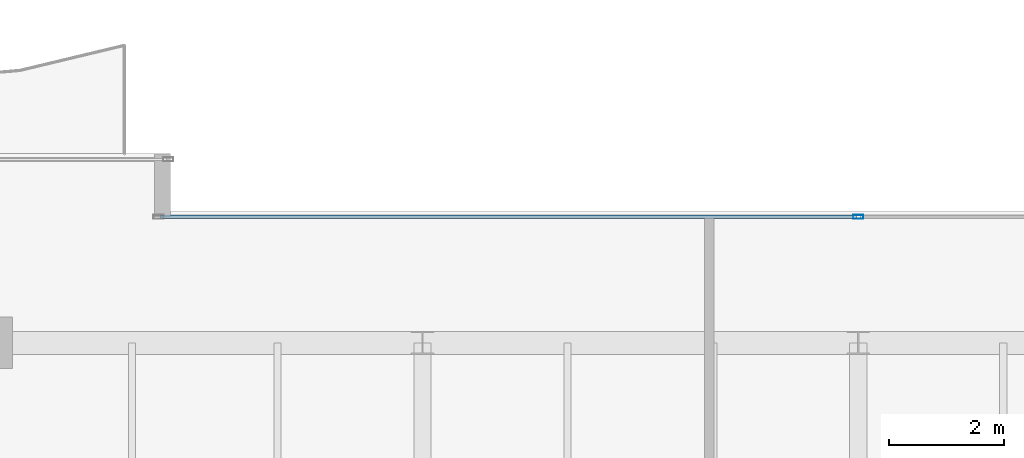
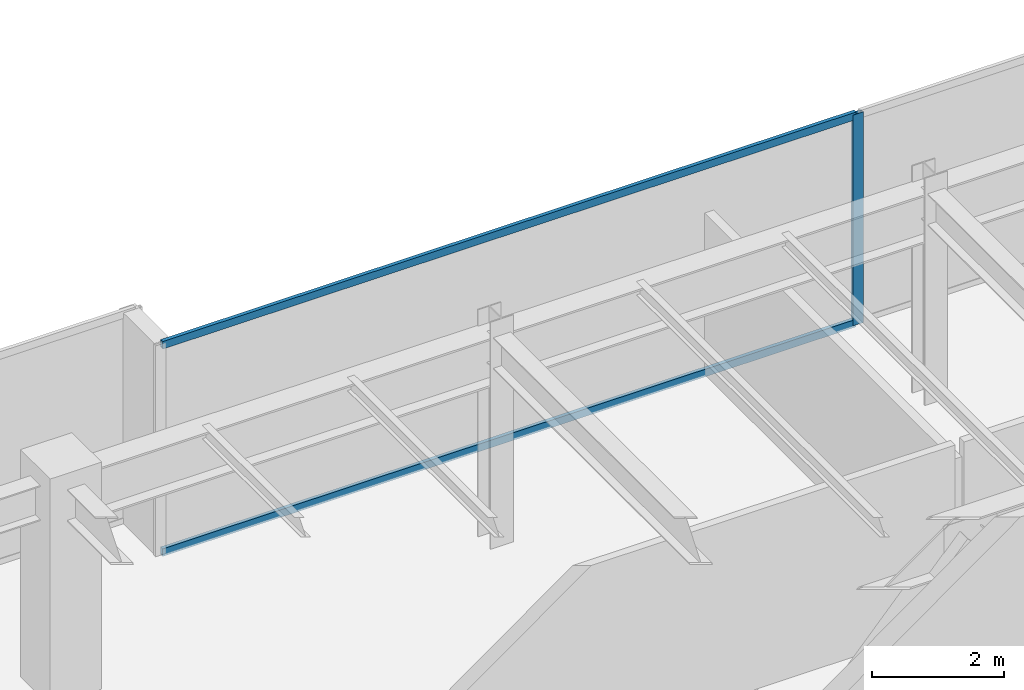
# One storey, part 20 of 31: 3 members, 1 element without a shape of its own.
"""IFC4 building model written with IfcOpenShell, lengths in metres."""

from ifc_helpers import new_model, si_unit, direction, frame, origin, origin_2d, place, context, subcontext, project, spatial, hollow_rectangle, extrude, source, transform, mapped, material, layer, layer_set, material_profile, profile_set, type_object, type_shapes, element, aggregate, save


model = new_model("IFC4")

# Units and contexts
model_context = context("Model", 3, precision=1e-05, world=origin(), true_north=direction((0.0, 1.0)))
body_context = subcontext(model_context, "Body", "Model", "MODEL_VIEW")
ifc_project = project(units=[si_unit("LENGTHUNIT", "METRE"), si_unit("AREAUNIT", "SQUARE_METRE"), si_unit("VOLUMEUNIT", "CUBIC_METRE"), si_unit("PLANEANGLEUNIT", "RADIAN"), si_unit("MASSUNIT", "GRAM", prefix="KILO")], contexts=[model_context])

# Site, building, storey
site_placement = place(None, origin())
site = spatial("IfcSite", under=ifc_project, at=site_placement, CompositionType="ELEMENT")
building_placement = place(site_placement, origin())
building = spatial("IfcBuilding", under=site, at=building_placement, Name="Haelvirn Gate Laboratories", CompositionType="ELEMENT")
storey_placement = place(building_placement, frame((0.0, 0.0, 310.199951171875)))
storey = spatial("IfcBuildingStorey", under=building, at=storey_placement, Name="L74", CompositionType="ELEMENT", Elevation=310.199951171875)

# Curtain wall, members
ifc_material_1 = material(Name="Anodised bronze unitised aluminium & triple low-E glass", Category="aluminium")
ifc_layer = layer(ifc_material_1, 0.176025390625, Name="CW-SYS-4")
ifc_layer_set = layer_set([ifc_layer], Name="Anodised bronze unitised aluminium & triple low-E glass")
curtain_wall_type = type_object("IfcCurtainWallType", Name="CW-SYS-4", PredefinedType="NOTDEFINED", material=ifc_layer_set)
curtain_wall_placement = place(storey_placement, origin())
curtain_wall = element("IfcCurtainWall", 1, at=curtain_wall_placement, inside=storey, type_object=curtain_wall_type, Name="L74 Unitised Curtain Wall CW-L74-P0-E12-1", PredefinedType="NOTDEFINED")
ifc_material_2 = material(Name="Extruded aluminium 6063-T6 (anodised bronze)", Category="aluminium")
ifc_material_profile_1 = material_profile(ifc_material_2, hollow_rectangle(XDim=0.06494140625, YDim=0.139892578125, WallThickness=0.00390625, at=origin_2d()), Name="CWT-140x65x4")
ifc_profile_set_1 = profile_set([ifc_material_profile_1], Name="Extruded aluminium 6063-T6 (anodised bronze)")
member_type_1 = type_object("IfcMemberType", Name="CWT-T140", PredefinedType="USERDEFINED", material=ifc_profile_set_1)
shared_shape_1 = source(origin(), body_context, "Body", "SweptSolid", [
    extrude(hollow_rectangle(XDim=0.06494140625, YDim=0.139892578125, WallThickness=0.00390625, at=origin_2d()), origin(), (0.0, 0.0, 1.0), 12.135009765625),
])
type_shapes(member_type_1, [shared_shape_1])
member_1_placement = place(storey_placement, frame((25.22998046875, 43.800048828125, 0.032470703125), z_axis=(1.0, 0.0, 0.0), x_axis=(0.0, 1.0, 0.0)))
member_1 = element("IfcMember", 2, at=member_1_placement, type_object=member_type_1, Name="CW4 transom 1.1", ObjectType="TRANSOM", PredefinedType="USERDEFINED", context=body_context, shape_type="MappedRepresentation", body=[
    mapped(shared_shape_1, transform((0.0, 0.0, 0.0), scale=1.0)),
])
member_2_placement = place(storey_placement, frame((25.22998046875, 43.800048828125, 3.867431640625), z_axis=(1.0, 0.0, 0.0), x_axis=(0.0, 1.0, 0.0)))
member_2 = element("IfcMember", 3, at=member_2_placement, type_object=member_type_1, Name="CW4 transom 1.2", ObjectType="TRANSOM", PredefinedType="USERDEFINED", context=body_context, shape_type="MappedRepresentation", body=[
    mapped(shared_shape_1, transform((0.0, 0.0, 0.0), scale=1.0)),
])
ifc_material_profile_2 = material_profile(ifc_material_2, hollow_rectangle(XDim=0.070068359375, YDim=0.179931640625, WallThickness=0.0048828125, at=origin_2d()), Name="CWM-180x70x5")
ifc_profile_set_2 = profile_set([ifc_material_profile_2], Name="Extruded aluminium 6063-T6 (anodised bronze)")
member_type_2 = type_object("IfcMemberType", Name="CWM-T180", PredefinedType="MULLION", material=ifc_profile_set_2)
shared_shape_2 = source(origin(), body_context, "Body", "SweptSolid", [
    extrude(hollow_rectangle(XDim=0.070068359375, YDim=0.179931640625, WallThickness=0.0048828125, at=origin_2d()), origin(), (0.0, 0.0, 1.0), 3.900146484375),
])
type_shapes(member_type_2, [shared_shape_2])
member_3_placement = place(storey_placement, frame((37.39990234375, 43.800048828125, 0.0), z_axis=(0.0, 0.0, 1.0), x_axis=(0.0, 1.0, 0.0)))
member_3 = element("IfcMember", 4, at=member_3_placement, type_object=member_type_2, Name="CW4 mullion 2", PredefinedType="MULLION", context=body_context, shape_type="MappedRepresentation", body=[
    mapped(shared_shape_2, transform((0.0, 0.0, 0.0), scale=1.0)),
])
aggregate(curtain_wall, [member_3, member_1, member_2])

save(model, "model.ifc")
